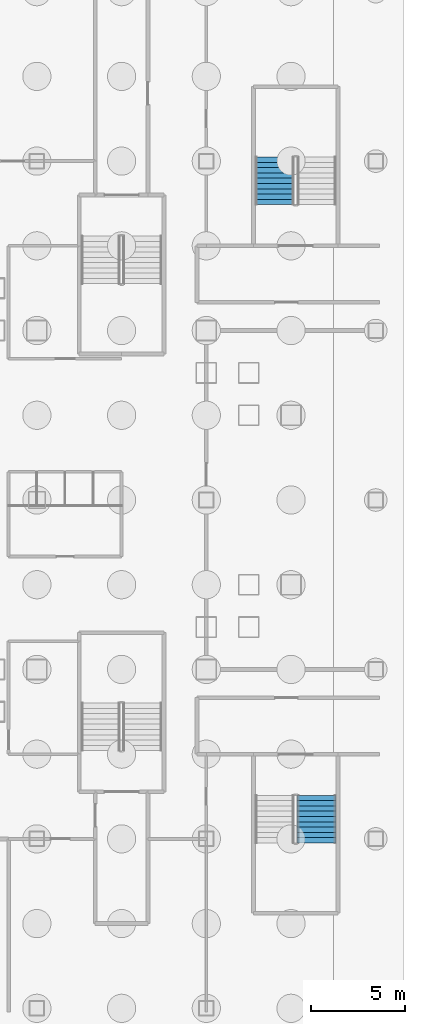
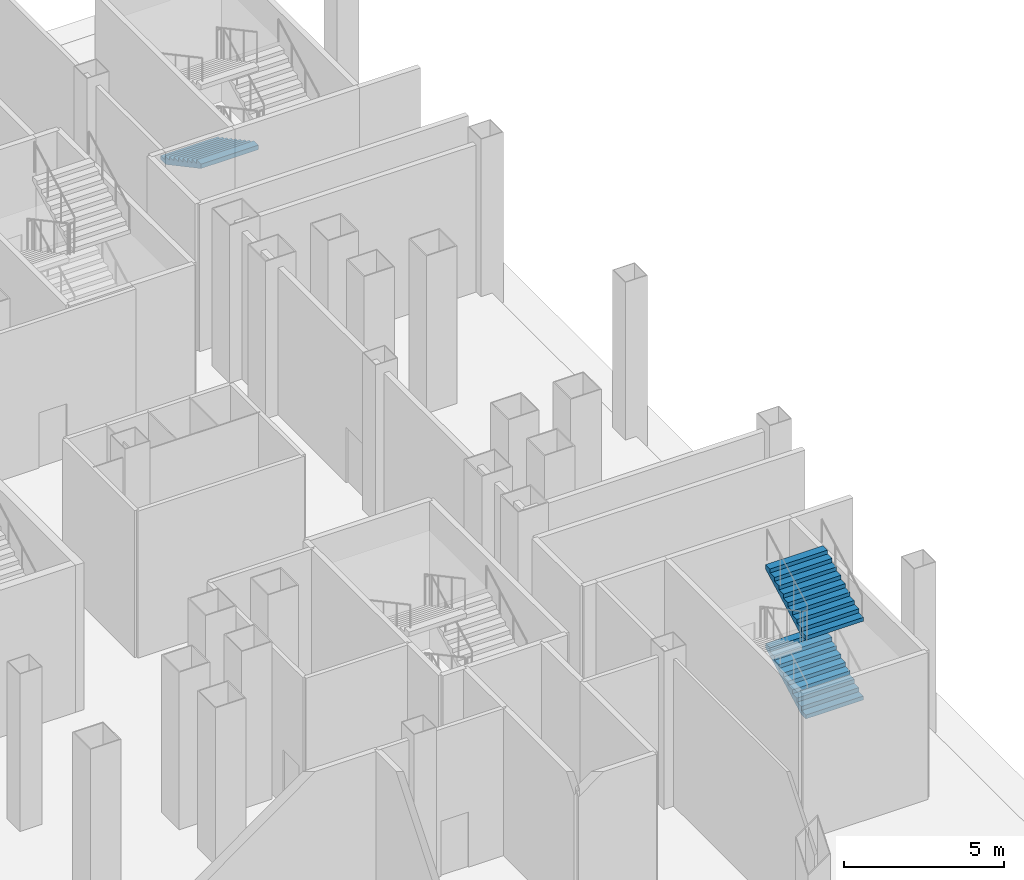
# One storey, part 18 of 25: 3 stair flights, 2 elements without a shape of their own.
"""IFC4 building model written with IfcOpenShell, lengths in metres."""

from ifc_helpers import new_model, si_unit, direction, frame, origin, place, context, subcontext, project, spatial, polygons, material, type_object, element, aggregate, save


model = new_model("IFC4")

# Units and contexts
model_context = context("Model", 3, precision=1e-05, world=origin(), true_north=direction((0.0, 1.0)))
body_context = subcontext(model_context, "Body", "Model", "MODEL_VIEW")
ifc_project = project(units=[si_unit("LENGTHUNIT", "METRE"), si_unit("AREAUNIT", "SQUARE_METRE"), si_unit("VOLUMEUNIT", "CUBIC_METRE"), si_unit("PLANEANGLEUNIT", "RADIAN"), si_unit("MASSUNIT", "GRAM", prefix="KILO")], contexts=[model_context])

# Site, building, storey
site_placement = place(None, origin())
site = spatial("IfcSite", under=ifc_project, at=site_placement, CompositionType="ELEMENT")
building_placement = place(site_placement, origin())
building = spatial("IfcBuilding", under=site, at=building_placement, Name="Caravel Reach Hotel and Residences", CompositionType="ELEMENT")
storey_placement = place(building_placement, frame((0.0, 0.0, -6.0)))
storey = spatial("IfcBuildingStorey", under=building, at=storey_placement, Name="B1", CompositionType="ELEMENT", Elevation=-6.0)

# Stair, stair flight
ifc_material_1 = material(Name="Concrete C40", Category="concrete")
stair_type = type_object("IfcStairType", Name="Core stair", PredefinedType="HALF_TURN_STAIR", material=ifc_material_1)
stair_1_placement = place(storey_placement, origin())
stair_1 = element("IfcStair", 1, at=stair_1_placement, inside=storey, type_object=stair_type, Name="B1 Exit stair P6", PredefinedType="HALF_TURN_STAIR")
ifc_material_2 = material(Name="Concrete C40", Category="concrete")
stair_flight_type = type_object("IfcStairFlightType", Name="Core stair flight", PredefinedType="STRAIGHT", material=ifc_material_2)
stair_flight_1_placement = place(storey_placement, frame((62.139892578125, 45.2099609375, 1.5), z_axis=(0.0, 0.0, 1.0), x_axis=(0.0, -1.0, 0.0)))
stair_flight_1 = element("IfcStairFlight", 2, at=stair_flight_1_placement, type_object=stair_flight_type, Name="ST-P6 flight 2", NumberOfRisers=10, NumberOfTreads=9, PredefinedType="STRAIGHT", RiserHeight=0.15, TreadLength=0.28, context=body_context, shape_type="Tessellation", body=[
    polygons([(0.3174408016601862, 1.0350341796875, 0.0), (0.3174408016601862, 0.6900227864583333, 0.0), (0.3174408016601862, 0.34501139322916663, 0.0), (0.3174408016601862, 0.0, 0.0), (0.3174408016601862, -0.34501139322916674, 0.0), (0.3174408016601862, -0.6900227864583333, 0.0), (0.3174408016601862, -1.0350341796875, 0.0), (2.5210000000000004, 1.0350341796875, 1.1799424276820432), (2.5210000000000004, 0.6900227864583333, 1.1799424276820432), (2.5210000000000004, 0.34501139322916663, 1.1799424276820432), (2.5210000000000004, 0.0, 1.1799424276820432), (2.5210000000000004, -0.34501139322916674, 1.1799424276820432), (2.5210000000000004, -0.6900227864583333, 1.1799424276820432), (2.5210000000000004, -1.0350341796875, 1.1799424276820432), (2.5210000000000004, 1.0350341796875, 1.3499999999999999), (2.5210000000000004, 0.6900227864583333, 1.3499999999999999), (2.5210000000000004, 0.34501139322916663, 1.3499999999999999), (2.5210000000000004, 0.0, 1.3499999999999999), (2.5210000000000004, -0.34501139322916674, 1.3499999999999999), (2.5210000000000004, -0.6900227864583333, 1.3499999999999999), (2.5210000000000004, -1.0350341796875, 1.3499999999999999), (2.24, 1.0350341796875, 1.3499999999999999), (2.24, 0.6900227864583333, 1.3499999999999999), (2.24, 0.34501139322916663, 1.3499999999999999), (2.24, 0.0, 1.3499999999999999), (2.24, -0.34501139322916674, 1.3499999999999999), (2.24, -0.6900227864583333, 1.3499999999999999), (2.24, -1.0350341796875, 1.3499999999999999), (2.24, 1.0350341796875, 1.2), (2.24, 0.6900227864583333, 1.2), (2.24, 0.34501139322916663, 1.2), (2.24, 0.0, 1.2), (2.24, -0.34501139322916674, 1.2), (2.24, -0.6900227864583333, 1.2), (2.24, -1.0350341796875, 1.2), (1.9600000000000002, 1.0350341796875, 1.2), (1.9600000000000002, 0.6900227864583333, 1.2), (1.9600000000000002, 0.34501139322916663, 1.2), (1.9600000000000002, 0.0, 1.2), (1.9600000000000002, -0.34501139322916674, 1.2), (1.9600000000000002, -0.6900227864583333, 1.2), (1.9600000000000002, -1.0350341796875, 1.2), (1.9600000000000002, 1.0350341796875, 1.05), (1.9600000000000002, 0.6900227864583333, 1.05), (1.9600000000000002, 0.34501139322916663, 1.05), (1.9600000000000002, 0.0, 1.05), (1.9600000000000002, -0.34501139322916674, 1.05), (1.9600000000000002, -0.6900227864583333, 1.05), (1.9600000000000002, -1.0350341796875, 1.05), (1.6800000000000002, 1.0350341796875, 1.05), (1.6800000000000002, 0.6900227864583333, 1.05), (1.6800000000000002, 0.34501139322916663, 1.05), (1.6800000000000002, 0.0, 1.05), (1.6800000000000002, -0.34501139322916674, 1.05), (1.6800000000000002, -0.6900227864583333, 1.05), (1.6800000000000002, -1.0350341796875, 1.05), (1.6800000000000002, 1.0350341796875, 0.8999999999999999), (1.6800000000000002, 0.6900227864583333, 0.8999999999999999), (1.6800000000000002, 0.34501139322916663, 0.8999999999999999), (1.6800000000000002, 0.0, 0.8999999999999999), (1.6800000000000002, -0.34501139322916674, 0.8999999999999999), (1.6800000000000002, -0.6900227864583333, 0.8999999999999999), (1.6800000000000002, -1.0350341796875, 0.8999999999999999), (1.4000000000000001, 1.0350341796875, 0.8999999999999999), (1.4000000000000001, 0.6900227864583333, 0.8999999999999999), (1.4000000000000001, 0.34501139322916663, 0.8999999999999999), (1.4000000000000001, 0.0, 0.8999999999999999), (1.4000000000000001, -0.34501139322916674, 0.8999999999999999), (1.4000000000000001, -0.6900227864583333, 0.8999999999999999), (1.4000000000000001, -1.0350341796875, 0.8999999999999999), (1.4000000000000001, 1.0350341796875, 0.75), (1.4000000000000001, 0.6900227864583333, 0.75), (1.4000000000000001, 0.34501139322916663, 0.75), (1.4000000000000001, 0.0, 0.75), (1.4000000000000001, -0.34501139322916674, 0.75), (1.4000000000000001, -0.6900227864583333, 0.75), (1.4000000000000001, -1.0350341796875, 0.75), (1.12, 1.0350341796875, 0.75), (1.12, 0.6900227864583333, 0.75), (1.12, 0.34501139322916663, 0.75), (1.12, 0.0, 0.75), (1.12, -0.34501139322916674, 0.75), (1.12, -0.6900227864583333, 0.75), (1.12, -1.0350341796875, 0.75), (1.12, 1.0350341796875, 0.6), (1.12, 0.6900227864583333, 0.6), (1.12, 0.34501139322916663, 0.6), (1.12, 0.0, 0.6), (1.12, -0.34501139322916674, 0.6), (1.12, -0.6900227864583333, 0.6), (1.12, -1.0350341796875, 0.6), (0.8400000000000001, 1.0350341796875, 0.6), (0.8400000000000001, 0.6900227864583333, 0.6), (0.8400000000000001, 0.34501139322916663, 0.6), (0.8400000000000001, 0.0, 0.6), (0.8400000000000001, -0.34501139322916674, 0.6), (0.8400000000000001, -0.6900227864583333, 0.6), (0.8400000000000001, -1.0350341796875, 0.6), (0.8400000000000001, 1.0350341796875, 0.44999999999999996), (0.8400000000000001, 0.6900227864583333, 0.44999999999999996), (0.8400000000000001, 0.34501139322916663, 0.44999999999999996), (0.8400000000000001, 0.0, 0.44999999999999996), (0.8400000000000001, -0.34501139322916674, 0.44999999999999996), (0.8400000000000001, -0.6900227864583333, 0.44999999999999996), (0.8400000000000001, -1.0350341796875, 0.44999999999999996), (0.56, 1.0350341796875, 0.44999999999999996), (0.56, 0.6900227864583333, 0.44999999999999996), (0.56, 0.34501139322916663, 0.44999999999999996), (0.56, 0.0, 0.44999999999999996), (0.56, -0.34501139322916674, 0.44999999999999996), (0.56, -0.6900227864583333, 0.44999999999999996), (0.56, -1.0350341796875, 0.44999999999999996), (0.56, 1.0350341796875, 0.3), (0.56, 0.6900227864583333, 0.3), (0.56, 0.34501139322916663, 0.3), (0.56, 0.0, 0.3), (0.56, -0.34501139322916674, 0.3), (0.56, -0.6900227864583333, 0.3), (0.56, -1.0350341796875, 0.3), (0.28, 1.0350341796875, 0.3), (0.28, 0.6900227864583333, 0.3), (0.28, 0.34501139322916663, 0.3), (0.28, 0.0, 0.3), (0.28, -0.34501139322916674, 0.3), (0.28, -0.6900227864583333, 0.3), (0.28, -1.0350341796875, 0.3), (0.28, 1.0350341796875, 0.15), (0.28, 0.6900227864583333, 0.15), (0.28, 0.34501139322916663, 0.15), (0.28, 0.0, 0.15), (0.28, -0.34501139322916674, 0.15), (0.28, -0.6900227864583333, 0.15), (0.28, -1.0350341796875, 0.15), (-0.001, 1.0350341796875, 0.15), (-0.001, 0.6900227864583333, 0.15), (-0.001, 0.34501139322916663, 0.15), (-0.001, 0.0, 0.15), (-0.001, -0.34501139322916674, 0.15), (-0.001, -0.6900227864583333, 0.15), (-0.001, -1.0350341796875, 0.15), (-0.001, 1.0350341796875, 0.0), (-0.001, 0.6900227864583333, 0.0), (-0.001, 0.34501139322916663, 0.0), (-0.001, 0.0, 0.0), (-0.001, -0.34501139322916674, 0.0), (-0.001, -0.6900227864583333, 0.0), (-0.001, -1.0350341796875, 0.0)], [[[141, 134, 127, 120, 113, 106, 99, 92, 85, 78, 71, 64, 57, 50, 43, 36, 29, 22, 15, 8, 1]], [[7, 14, 21, 28, 35, 42, 49, 56, 63, 70, 77, 84, 91, 98, 105, 112, 119, 126, 133, 140, 147]], [[1, 8, 9, 2]], [[2, 9, 10, 3]], [[3, 10, 11, 4]], [[4, 11, 12, 5]], [[5, 12, 13, 6]], [[6, 13, 14, 7]], [[8, 15, 16, 9]], [[9, 16, 17, 10]], [[10, 17, 18, 11]], [[11, 18, 19, 12]], [[12, 19, 20, 13]], [[13, 20, 21, 14]], [[15, 22, 23, 16]], [[16, 23, 24, 17]], [[17, 24, 25, 18]], [[18, 25, 26, 19]], [[19, 26, 27, 20]], [[20, 27, 28, 21]], [[22, 29, 30, 23]], [[23, 30, 31, 24]], [[24, 31, 32, 25]], [[25, 32, 33, 26]], [[26, 33, 34, 27]], [[27, 34, 35, 28]], [[29, 36, 37, 30]], [[30, 37, 38, 31]], [[31, 38, 39, 32]], [[32, 39, 40, 33]], [[33, 40, 41, 34]], [[34, 41, 42, 35]], [[36, 43, 44, 37]], [[37, 44, 45, 38]], [[38, 45, 46, 39]], [[39, 46, 47, 40]], [[40, 47, 48, 41]], [[41, 48, 49, 42]], [[43, 50, 51, 44]], [[44, 51, 52, 45]], [[45, 52, 53, 46]], [[46, 53, 54, 47]], [[47, 54, 55, 48]], [[48, 55, 56, 49]], [[50, 57, 58, 51]], [[51, 58, 59, 52]], [[52, 59, 60, 53]], [[53, 60, 61, 54]], [[54, 61, 62, 55]], [[55, 62, 63, 56]], [[57, 64, 65, 58]], [[58, 65, 66, 59]], [[59, 66, 67, 60]], [[60, 67, 68, 61]], [[61, 68, 69, 62]], [[62, 69, 70, 63]], [[64, 71, 72, 65]], [[65, 72, 73, 66]], [[66, 73, 74, 67]], [[67, 74, 75, 68]], [[68, 75, 76, 69]], [[69, 76, 77, 70]], [[71, 78, 79, 72]], [[72, 79, 80, 73]], [[73, 80, 81, 74]], [[74, 81, 82, 75]], [[75, 82, 83, 76]], [[76, 83, 84, 77]], [[78, 85, 86, 79]], [[79, 86, 87, 80]], [[80, 87, 88, 81]], [[81, 88, 89, 82]], [[82, 89, 90, 83]], [[83, 90, 91, 84]], [[85, 92, 93, 86]], [[86, 93, 94, 87]], [[87, 94, 95, 88]], [[88, 95, 96, 89]], [[89, 96, 97, 90]], [[90, 97, 98, 91]], [[92, 99, 100, 93]], [[93, 100, 101, 94]], [[94, 101, 102, 95]], [[95, 102, 103, 96]], [[96, 103, 104, 97]], [[97, 104, 105, 98]], [[99, 106, 107, 100]], [[100, 107, 108, 101]], [[101, 108, 109, 102]], [[102, 109, 110, 103]], [[103, 110, 111, 104]], [[104, 111, 112, 105]], [[106, 113, 114, 107]], [[107, 114, 115, 108]], [[108, 115, 116, 109]], [[109, 116, 117, 110]], [[110, 117, 118, 111]], [[111, 118, 119, 112]], [[113, 120, 121, 114]], [[114, 121, 122, 115]], [[115, 122, 123, 116]], [[116, 123, 124, 117]], [[117, 124, 125, 118]], [[118, 125, 126, 119]], [[120, 127, 128, 121]], [[121, 128, 129, 122]], [[122, 129, 130, 123]], [[123, 130, 131, 124]], [[124, 131, 132, 125]], [[125, 132, 133, 126]], [[127, 134, 135, 128]], [[128, 135, 136, 129]], [[129, 136, 137, 130]], [[130, 137, 138, 131]], [[131, 138, 139, 132]], [[132, 139, 140, 133]], [[134, 141, 142, 135]], [[135, 142, 143, 136]], [[136, 143, 144, 137]], [[137, 144, 145, 138]], [[138, 145, 146, 139]], [[139, 146, 147, 140]], [[141, 1, 2, 142]], [[142, 2, 3, 143]], [[143, 3, 4, 144]], [[144, 4, 5, 145]], [[145, 5, 6, 146]], [[146, 6, 7, 147]]], closed=True),
])
aggregate(stair_1, [stair_flight_1])

# Stair, stair flights
stair_2_placement = place(storey_placement, origin())
stair_2 = element("IfcStair", 3, at=stair_2_placement, inside=storey, type_object=stair_type, Name="B1 Exit stair P7", PredefinedType="HALF_TURN_STAIR")
stair_flight_2_placement = place(storey_placement, frame((64.360107421875, 8.7900390625, 1.5), z_axis=(0.0, 0.0, 1.0), x_axis=(0.0, 1.0, 0.0)))
stair_flight_2 = element("IfcStairFlight", 4, at=stair_flight_2_placement, type_object=stair_flight_type, Name="ST-P7 flight 2", NumberOfRisers=10, NumberOfTreads=9, PredefinedType="STRAIGHT", RiserHeight=0.15, TreadLength=0.28, context=body_context, shape_type="Tessellation", body=[
    polygons([(0.3174408016601862, 1.0350341796875, 0.0), (0.3174408016601862, 0.6900227864583333, 0.0), (0.3174408016601862, 0.34501139322916663, 0.0), (0.3174408016601862, 0.0, 0.0), (0.3174408016601862, -0.34501139322916674, 0.0), (0.3174408016601862, -0.6900227864583333, 0.0), (0.3174408016601862, -1.0350341796875, 0.0), (2.5210000000000004, 1.0350341796875, 1.1799424276820432), (2.5210000000000004, 0.6900227864583333, 1.1799424276820432), (2.5210000000000004, 0.34501139322916663, 1.1799424276820432), (2.5210000000000004, 0.0, 1.1799424276820432), (2.5210000000000004, -0.34501139322916674, 1.1799424276820432), (2.5210000000000004, -0.6900227864583333, 1.1799424276820432), (2.5210000000000004, -1.0350341796875, 1.1799424276820432), (2.5210000000000004, 1.0350341796875, 1.3499999999999999), (2.5210000000000004, 0.6900227864583333, 1.3499999999999999), (2.5210000000000004, 0.34501139322916663, 1.3499999999999999), (2.5210000000000004, 0.0, 1.3499999999999999), (2.5210000000000004, -0.34501139322916674, 1.3499999999999999), (2.5210000000000004, -0.6900227864583333, 1.3499999999999999), (2.5210000000000004, -1.0350341796875, 1.3499999999999999), (2.24, 1.0350341796875, 1.3499999999999999), (2.24, 0.6900227864583333, 1.3499999999999999), (2.24, 0.34501139322916663, 1.3499999999999999), (2.24, 0.0, 1.3499999999999999), (2.24, -0.34501139322916674, 1.3499999999999999), (2.24, -0.6900227864583333, 1.3499999999999999), (2.24, -1.0350341796875, 1.3499999999999999), (2.24, 1.0350341796875, 1.2), (2.24, 0.6900227864583333, 1.2), (2.24, 0.34501139322916663, 1.2), (2.24, 0.0, 1.2), (2.24, -0.34501139322916674, 1.2), (2.24, -0.6900227864583333, 1.2), (2.24, -1.0350341796875, 1.2), (1.9600000000000002, 1.0350341796875, 1.2), (1.9600000000000002, 0.6900227864583333, 1.2), (1.9600000000000002, 0.34501139322916663, 1.2), (1.9600000000000002, 0.0, 1.2), (1.9600000000000002, -0.34501139322916674, 1.2), (1.9600000000000002, -0.6900227864583333, 1.2), (1.9600000000000002, -1.0350341796875, 1.2), (1.9600000000000002, 1.0350341796875, 1.05), (1.9600000000000002, 0.6900227864583333, 1.05), (1.9600000000000002, 0.34501139322916663, 1.05), (1.9600000000000002, 0.0, 1.05), (1.9600000000000002, -0.34501139322916674, 1.05), (1.9600000000000002, -0.6900227864583333, 1.05), (1.9600000000000002, -1.0350341796875, 1.05), (1.6800000000000002, 1.0350341796875, 1.05), (1.6800000000000002, 0.6900227864583333, 1.05), (1.6800000000000002, 0.34501139322916663, 1.05), (1.6800000000000002, 0.0, 1.05), (1.6800000000000002, -0.34501139322916674, 1.05), (1.6800000000000002, -0.6900227864583333, 1.05), (1.6800000000000002, -1.0350341796875, 1.05), (1.6800000000000002, 1.0350341796875, 0.8999999999999999), (1.6800000000000002, 0.6900227864583333, 0.8999999999999999), (1.6800000000000002, 0.34501139322916663, 0.8999999999999999), (1.6800000000000002, 0.0, 0.8999999999999999), (1.6800000000000002, -0.34501139322916674, 0.8999999999999999), (1.6800000000000002, -0.6900227864583333, 0.8999999999999999), (1.6800000000000002, -1.0350341796875, 0.8999999999999999), (1.4000000000000001, 1.0350341796875, 0.8999999999999999), (1.4000000000000001, 0.6900227864583333, 0.8999999999999999), (1.4000000000000001, 0.34501139322916663, 0.8999999999999999), (1.4000000000000001, 0.0, 0.8999999999999999), (1.4000000000000001, -0.34501139322916674, 0.8999999999999999), (1.4000000000000001, -0.6900227864583333, 0.8999999999999999), (1.4000000000000001, -1.0350341796875, 0.8999999999999999), (1.4000000000000001, 1.0350341796875, 0.75), (1.4000000000000001, 0.6900227864583333, 0.75), (1.4000000000000001, 0.34501139322916663, 0.75), (1.4000000000000001, 0.0, 0.75), (1.4000000000000001, -0.34501139322916674, 0.75), (1.4000000000000001, -0.6900227864583333, 0.75), (1.4000000000000001, -1.0350341796875, 0.75), (1.12, 1.0350341796875, 0.75), (1.12, 0.6900227864583333, 0.75), (1.12, 0.34501139322916663, 0.75), (1.12, 0.0, 0.75), (1.12, -0.34501139322916674, 0.75), (1.12, -0.6900227864583333, 0.75), (1.12, -1.0350341796875, 0.75), (1.12, 1.0350341796875, 0.6), (1.12, 0.6900227864583333, 0.6), (1.12, 0.34501139322916663, 0.6), (1.12, 0.0, 0.6), (1.12, -0.34501139322916674, 0.6), (1.12, -0.6900227864583333, 0.6), (1.12, -1.0350341796875, 0.6), (0.8400000000000001, 1.0350341796875, 0.6), (0.8400000000000001, 0.6900227864583333, 0.6), (0.8400000000000001, 0.34501139322916663, 0.6), (0.8400000000000001, 0.0, 0.6), (0.8400000000000001, -0.34501139322916674, 0.6), (0.8400000000000001, -0.6900227864583333, 0.6), (0.8400000000000001, -1.0350341796875, 0.6), (0.8400000000000001, 1.0350341796875, 0.44999999999999996), (0.8400000000000001, 0.6900227864583333, 0.44999999999999996), (0.8400000000000001, 0.34501139322916663, 0.44999999999999996), (0.8400000000000001, 0.0, 0.44999999999999996), (0.8400000000000001, -0.34501139322916674, 0.44999999999999996), (0.8400000000000001, -0.6900227864583333, 0.44999999999999996), (0.8400000000000001, -1.0350341796875, 0.44999999999999996), (0.56, 1.0350341796875, 0.44999999999999996), (0.56, 0.6900227864583333, 0.44999999999999996), (0.56, 0.34501139322916663, 0.44999999999999996), (0.56, 0.0, 0.44999999999999996), (0.56, -0.34501139322916674, 0.44999999999999996), (0.56, -0.6900227864583333, 0.44999999999999996), (0.56, -1.0350341796875, 0.44999999999999996), (0.56, 1.0350341796875, 0.3), (0.56, 0.6900227864583333, 0.3), (0.56, 0.34501139322916663, 0.3), (0.56, 0.0, 0.3), (0.56, -0.34501139322916674, 0.3), (0.56, -0.6900227864583333, 0.3), (0.56, -1.0350341796875, 0.3), (0.28, 1.0350341796875, 0.3), (0.28, 0.6900227864583333, 0.3), (0.28, 0.34501139322916663, 0.3), (0.28, 0.0, 0.3), (0.28, -0.34501139322916674, 0.3), (0.28, -0.6900227864583333, 0.3), (0.28, -1.0350341796875, 0.3), (0.28, 1.0350341796875, 0.15), (0.28, 0.6900227864583333, 0.15), (0.28, 0.34501139322916663, 0.15), (0.28, 0.0, 0.15), (0.28, -0.34501139322916674, 0.15), (0.28, -0.6900227864583333, 0.15), (0.28, -1.0350341796875, 0.15), (-0.001, 1.0350341796875, 0.15), (-0.001, 0.6900227864583333, 0.15), (-0.001, 0.34501139322916663, 0.15), (-0.001, 0.0, 0.15), (-0.001, -0.34501139322916674, 0.15), (-0.001, -0.6900227864583333, 0.15), (-0.001, -1.0350341796875, 0.15), (-0.001, 1.0350341796875, 0.0), (-0.001, 0.6900227864583333, 0.0), (-0.001, 0.34501139322916663, 0.0), (-0.001, 0.0, 0.0), (-0.001, -0.34501139322916674, 0.0), (-0.001, -0.6900227864583333, 0.0), (-0.001, -1.0350341796875, 0.0)], [[[141, 134, 127, 120, 113, 106, 99, 92, 85, 78, 71, 64, 57, 50, 43, 36, 29, 22, 15, 8, 1]], [[7, 14, 21, 28, 35, 42, 49, 56, 63, 70, 77, 84, 91, 98, 105, 112, 119, 126, 133, 140, 147]], [[1, 8, 9, 2]], [[2, 9, 10, 3]], [[3, 10, 11, 4]], [[4, 11, 12, 5]], [[5, 12, 13, 6]], [[6, 13, 14, 7]], [[8, 15, 16, 9]], [[9, 16, 17, 10]], [[10, 17, 18, 11]], [[11, 18, 19, 12]], [[12, 19, 20, 13]], [[13, 20, 21, 14]], [[15, 22, 23, 16]], [[16, 23, 24, 17]], [[17, 24, 25, 18]], [[18, 25, 26, 19]], [[19, 26, 27, 20]], [[20, 27, 28, 21]], [[22, 29, 30, 23]], [[23, 30, 31, 24]], [[24, 31, 32, 25]], [[25, 32, 33, 26]], [[26, 33, 34, 27]], [[27, 34, 35, 28]], [[29, 36, 37, 30]], [[30, 37, 38, 31]], [[31, 38, 39, 32]], [[32, 39, 40, 33]], [[33, 40, 41, 34]], [[34, 41, 42, 35]], [[36, 43, 44, 37]], [[37, 44, 45, 38]], [[38, 45, 46, 39]], [[39, 46, 47, 40]], [[40, 47, 48, 41]], [[41, 48, 49, 42]], [[43, 50, 51, 44]], [[44, 51, 52, 45]], [[45, 52, 53, 46]], [[46, 53, 54, 47]], [[47, 54, 55, 48]], [[48, 55, 56, 49]], [[50, 57, 58, 51]], [[51, 58, 59, 52]], [[52, 59, 60, 53]], [[53, 60, 61, 54]], [[54, 61, 62, 55]], [[55, 62, 63, 56]], [[57, 64, 65, 58]], [[58, 65, 66, 59]], [[59, 66, 67, 60]], [[60, 67, 68, 61]], [[61, 68, 69, 62]], [[62, 69, 70, 63]], [[64, 71, 72, 65]], [[65, 72, 73, 66]], [[66, 73, 74, 67]], [[67, 74, 75, 68]], [[68, 75, 76, 69]], [[69, 76, 77, 70]], [[71, 78, 79, 72]], [[72, 79, 80, 73]], [[73, 80, 81, 74]], [[74, 81, 82, 75]], [[75, 82, 83, 76]], [[76, 83, 84, 77]], [[78, 85, 86, 79]], [[79, 86, 87, 80]], [[80, 87, 88, 81]], [[81, 88, 89, 82]], [[82, 89, 90, 83]], [[83, 90, 91, 84]], [[85, 92, 93, 86]], [[86, 93, 94, 87]], [[87, 94, 95, 88]], [[88, 95, 96, 89]], [[89, 96, 97, 90]], [[90, 97, 98, 91]], [[92, 99, 100, 93]], [[93, 100, 101, 94]], [[94, 101, 102, 95]], [[95, 102, 103, 96]], [[96, 103, 104, 97]], [[97, 104, 105, 98]], [[99, 106, 107, 100]], [[100, 107, 108, 101]], [[101, 108, 109, 102]], [[102, 109, 110, 103]], [[103, 110, 111, 104]], [[104, 111, 112, 105]], [[106, 113, 114, 107]], [[107, 114, 115, 108]], [[108, 115, 116, 109]], [[109, 116, 117, 110]], [[110, 117, 118, 111]], [[111, 118, 119, 112]], [[113, 120, 121, 114]], [[114, 121, 122, 115]], [[115, 122, 123, 116]], [[116, 123, 124, 117]], [[117, 124, 125, 118]], [[118, 125, 126, 119]], [[120, 127, 128, 121]], [[121, 128, 129, 122]], [[122, 129, 130, 123]], [[123, 130, 131, 124]], [[124, 131, 132, 125]], [[125, 132, 133, 126]], [[127, 134, 135, 128]], [[128, 135, 136, 129]], [[129, 136, 137, 130]], [[130, 137, 138, 131]], [[131, 138, 139, 132]], [[132, 139, 140, 133]], [[134, 141, 142, 135]], [[135, 142, 143, 136]], [[136, 143, 144, 137]], [[137, 144, 145, 138]], [[138, 145, 146, 139]], [[139, 146, 147, 140]], [[141, 1, 2, 142]], [[142, 2, 3, 143]], [[143, 3, 4, 144]], [[144, 4, 5, 145]], [[145, 5, 6, 146]], [[146, 6, 7, 147]]], closed=True),
])
stair_flight_3_placement = place(storey_placement, frame((64.360107421875, 8.7900390625, 4.5), z_axis=(0.0, 0.0, 1.0), x_axis=(0.0, 1.0, 0.0)))
stair_flight_3 = element("IfcStairFlight", 5, at=stair_flight_3_placement, type_object=stair_flight_type, Name="ST-P7 flight 4", NumberOfRisers=10, NumberOfTreads=9, PredefinedType="STRAIGHT", RiserHeight=0.15, TreadLength=0.28, context=body_context, shape_type="Tessellation", body=[
    polygons([(0.3174408016601862, 1.0350341796875, 0.0), (0.3174408016601862, 0.6900227864583333, 0.0), (0.3174408016601862, 0.34501139322916663, 0.0), (0.3174408016601862, 0.0, 0.0), (0.3174408016601862, -0.34501139322916674, 0.0), (0.3174408016601862, -0.6900227864583333, 0.0), (0.3174408016601862, -1.0350341796875, 0.0), (2.5210000000000004, 1.0350341796875, 1.1799424276820432), (2.5210000000000004, 0.6900227864583333, 1.1799424276820432), (2.5210000000000004, 0.34501139322916663, 1.1799424276820432), (2.5210000000000004, 0.0, 1.1799424276820432), (2.5210000000000004, -0.34501139322916674, 1.1799424276820432), (2.5210000000000004, -0.6900227864583333, 1.1799424276820432), (2.5210000000000004, -1.0350341796875, 1.1799424276820432), (2.5210000000000004, 1.0350341796875, 1.3499999999999999), (2.5210000000000004, 0.6900227864583333, 1.3499999999999999), (2.5210000000000004, 0.34501139322916663, 1.3499999999999999), (2.5210000000000004, 0.0, 1.3499999999999999), (2.5210000000000004, -0.34501139322916674, 1.3499999999999999), (2.5210000000000004, -0.6900227864583333, 1.3499999999999999), (2.5210000000000004, -1.0350341796875, 1.3499999999999999), (2.24, 1.0350341796875, 1.3499999999999999), (2.24, 0.6900227864583333, 1.3499999999999999), (2.24, 0.34501139322916663, 1.3499999999999999), (2.24, 0.0, 1.3499999999999999), (2.24, -0.34501139322916674, 1.3499999999999999), (2.24, -0.6900227864583333, 1.3499999999999999), (2.24, -1.0350341796875, 1.3499999999999999), (2.24, 1.0350341796875, 1.2), (2.24, 0.6900227864583333, 1.2), (2.24, 0.34501139322916663, 1.2), (2.24, 0.0, 1.2), (2.24, -0.34501139322916674, 1.2), (2.24, -0.6900227864583333, 1.2), (2.24, -1.0350341796875, 1.2), (1.9600000000000002, 1.0350341796875, 1.2), (1.9600000000000002, 0.6900227864583333, 1.2), (1.9600000000000002, 0.34501139322916663, 1.2), (1.9600000000000002, 0.0, 1.2), (1.9600000000000002, -0.34501139322916674, 1.2), (1.9600000000000002, -0.6900227864583333, 1.2), (1.9600000000000002, -1.0350341796875, 1.2), (1.9600000000000002, 1.0350341796875, 1.05), (1.9600000000000002, 0.6900227864583333, 1.05), (1.9600000000000002, 0.34501139322916663, 1.05), (1.9600000000000002, 0.0, 1.05), (1.9600000000000002, -0.34501139322916674, 1.05), (1.9600000000000002, -0.6900227864583333, 1.05), (1.9600000000000002, -1.0350341796875, 1.05), (1.6800000000000002, 1.0350341796875, 1.05), (1.6800000000000002, 0.6900227864583333, 1.05), (1.6800000000000002, 0.34501139322916663, 1.05), (1.6800000000000002, 0.0, 1.05), (1.6800000000000002, -0.34501139322916674, 1.05), (1.6800000000000002, -0.6900227864583333, 1.05), (1.6800000000000002, -1.0350341796875, 1.05), (1.6800000000000002, 1.0350341796875, 0.8999999999999999), (1.6800000000000002, 0.6900227864583333, 0.8999999999999999), (1.6800000000000002, 0.34501139322916663, 0.8999999999999999), (1.6800000000000002, 0.0, 0.8999999999999999), (1.6800000000000002, -0.34501139322916674, 0.8999999999999999), (1.6800000000000002, -0.6900227864583333, 0.8999999999999999), (1.6800000000000002, -1.0350341796875, 0.8999999999999999), (1.4000000000000001, 1.0350341796875, 0.8999999999999999), (1.4000000000000001, 0.6900227864583333, 0.8999999999999999), (1.4000000000000001, 0.34501139322916663, 0.8999999999999999), (1.4000000000000001, 0.0, 0.8999999999999999), (1.4000000000000001, -0.34501139322916674, 0.8999999999999999), (1.4000000000000001, -0.6900227864583333, 0.8999999999999999), (1.4000000000000001, -1.0350341796875, 0.8999999999999999), (1.4000000000000001, 1.0350341796875, 0.75), (1.4000000000000001, 0.6900227864583333, 0.75), (1.4000000000000001, 0.34501139322916663, 0.75), (1.4000000000000001, 0.0, 0.75), (1.4000000000000001, -0.34501139322916674, 0.75), (1.4000000000000001, -0.6900227864583333, 0.75), (1.4000000000000001, -1.0350341796875, 0.75), (1.12, 1.0350341796875, 0.75), (1.12, 0.6900227864583333, 0.75), (1.12, 0.34501139322916663, 0.75), (1.12, 0.0, 0.75), (1.12, -0.34501139322916674, 0.75), (1.12, -0.6900227864583333, 0.75), (1.12, -1.0350341796875, 0.75), (1.12, 1.0350341796875, 0.6), (1.12, 0.6900227864583333, 0.6), (1.12, 0.34501139322916663, 0.6), (1.12, 0.0, 0.6), (1.12, -0.34501139322916674, 0.6), (1.12, -0.6900227864583333, 0.6), (1.12, -1.0350341796875, 0.6), (0.8400000000000001, 1.0350341796875, 0.6), (0.8400000000000001, 0.6900227864583333, 0.6), (0.8400000000000001, 0.34501139322916663, 0.6), (0.8400000000000001, 0.0, 0.6), (0.8400000000000001, -0.34501139322916674, 0.6), (0.8400000000000001, -0.6900227864583333, 0.6), (0.8400000000000001, -1.0350341796875, 0.6), (0.8400000000000001, 1.0350341796875, 0.44999999999999996), (0.8400000000000001, 0.6900227864583333, 0.44999999999999996), (0.8400000000000001, 0.34501139322916663, 0.44999999999999996), (0.8400000000000001, 0.0, 0.44999999999999996), (0.8400000000000001, -0.34501139322916674, 0.44999999999999996), (0.8400000000000001, -0.6900227864583333, 0.44999999999999996), (0.8400000000000001, -1.0350341796875, 0.44999999999999996), (0.56, 1.0350341796875, 0.44999999999999996), (0.56, 0.6900227864583333, 0.44999999999999996), (0.56, 0.34501139322916663, 0.44999999999999996), (0.56, 0.0, 0.44999999999999996), (0.56, -0.34501139322916674, 0.44999999999999996), (0.56, -0.6900227864583333, 0.44999999999999996), (0.56, -1.0350341796875, 0.44999999999999996), (0.56, 1.0350341796875, 0.3), (0.56, 0.6900227864583333, 0.3), (0.56, 0.34501139322916663, 0.3), (0.56, 0.0, 0.3), (0.56, -0.34501139322916674, 0.3), (0.56, -0.6900227864583333, 0.3), (0.56, -1.0350341796875, 0.3), (0.28, 1.0350341796875, 0.3), (0.28, 0.6900227864583333, 0.3), (0.28, 0.34501139322916663, 0.3), (0.28, 0.0, 0.3), (0.28, -0.34501139322916674, 0.3), (0.28, -0.6900227864583333, 0.3), (0.28, -1.0350341796875, 0.3), (0.28, 1.0350341796875, 0.15), (0.28, 0.6900227864583333, 0.15), (0.28, 0.34501139322916663, 0.15), (0.28, 0.0, 0.15), (0.28, -0.34501139322916674, 0.15), (0.28, -0.6900227864583333, 0.15), (0.28, -1.0350341796875, 0.15), (-0.001, 1.0350341796875, 0.15), (-0.001, 0.6900227864583333, 0.15), (-0.001, 0.34501139322916663, 0.15), (-0.001, 0.0, 0.15), (-0.001, -0.34501139322916674, 0.15), (-0.001, -0.6900227864583333, 0.15), (-0.001, -1.0350341796875, 0.15), (-0.001, 1.0350341796875, 0.0), (-0.001, 0.6900227864583333, 0.0), (-0.001, 0.34501139322916663, 0.0), (-0.001, 0.0, 0.0), (-0.001, -0.34501139322916674, 0.0), (-0.001, -0.6900227864583333, 0.0), (-0.001, -1.0350341796875, 0.0)], [[[141, 134, 127, 120, 113, 106, 99, 92, 85, 78, 71, 64, 57, 50, 43, 36, 29, 22, 15, 8, 1]], [[7, 14, 21, 28, 35, 42, 49, 56, 63, 70, 77, 84, 91, 98, 105, 112, 119, 126, 133, 140, 147]], [[1, 8, 9, 2]], [[2, 9, 10, 3]], [[3, 10, 11, 4]], [[4, 11, 12, 5]], [[5, 12, 13, 6]], [[6, 13, 14, 7]], [[8, 15, 16, 9]], [[9, 16, 17, 10]], [[10, 17, 18, 11]], [[11, 18, 19, 12]], [[12, 19, 20, 13]], [[13, 20, 21, 14]], [[15, 22, 23, 16]], [[16, 23, 24, 17]], [[17, 24, 25, 18]], [[18, 25, 26, 19]], [[19, 26, 27, 20]], [[20, 27, 28, 21]], [[22, 29, 30, 23]], [[23, 30, 31, 24]], [[24, 31, 32, 25]], [[25, 32, 33, 26]], [[26, 33, 34, 27]], [[27, 34, 35, 28]], [[29, 36, 37, 30]], [[30, 37, 38, 31]], [[31, 38, 39, 32]], [[32, 39, 40, 33]], [[33, 40, 41, 34]], [[34, 41, 42, 35]], [[36, 43, 44, 37]], [[37, 44, 45, 38]], [[38, 45, 46, 39]], [[39, 46, 47, 40]], [[40, 47, 48, 41]], [[41, 48, 49, 42]], [[43, 50, 51, 44]], [[44, 51, 52, 45]], [[45, 52, 53, 46]], [[46, 53, 54, 47]], [[47, 54, 55, 48]], [[48, 55, 56, 49]], [[50, 57, 58, 51]], [[51, 58, 59, 52]], [[52, 59, 60, 53]], [[53, 60, 61, 54]], [[54, 61, 62, 55]], [[55, 62, 63, 56]], [[57, 64, 65, 58]], [[58, 65, 66, 59]], [[59, 66, 67, 60]], [[60, 67, 68, 61]], [[61, 68, 69, 62]], [[62, 69, 70, 63]], [[64, 71, 72, 65]], [[65, 72, 73, 66]], [[66, 73, 74, 67]], [[67, 74, 75, 68]], [[68, 75, 76, 69]], [[69, 76, 77, 70]], [[71, 78, 79, 72]], [[72, 79, 80, 73]], [[73, 80, 81, 74]], [[74, 81, 82, 75]], [[75, 82, 83, 76]], [[76, 83, 84, 77]], [[78, 85, 86, 79]], [[79, 86, 87, 80]], [[80, 87, 88, 81]], [[81, 88, 89, 82]], [[82, 89, 90, 83]], [[83, 90, 91, 84]], [[85, 92, 93, 86]], [[86, 93, 94, 87]], [[87, 94, 95, 88]], [[88, 95, 96, 89]], [[89, 96, 97, 90]], [[90, 97, 98, 91]], [[92, 99, 100, 93]], [[93, 100, 101, 94]], [[94, 101, 102, 95]], [[95, 102, 103, 96]], [[96, 103, 104, 97]], [[97, 104, 105, 98]], [[99, 106, 107, 100]], [[100, 107, 108, 101]], [[101, 108, 109, 102]], [[102, 109, 110, 103]], [[103, 110, 111, 104]], [[104, 111, 112, 105]], [[106, 113, 114, 107]], [[107, 114, 115, 108]], [[108, 115, 116, 109]], [[109, 116, 117, 110]], [[110, 117, 118, 111]], [[111, 118, 119, 112]], [[113, 120, 121, 114]], [[114, 121, 122, 115]], [[115, 122, 123, 116]], [[116, 123, 124, 117]], [[117, 124, 125, 118]], [[118, 125, 126, 119]], [[120, 127, 128, 121]], [[121, 128, 129, 122]], [[122, 129, 130, 123]], [[123, 130, 131, 124]], [[124, 131, 132, 125]], [[125, 132, 133, 126]], [[127, 134, 135, 128]], [[128, 135, 136, 129]], [[129, 136, 137, 130]], [[130, 137, 138, 131]], [[131, 138, 139, 132]], [[132, 139, 140, 133]], [[134, 141, 142, 135]], [[135, 142, 143, 136]], [[136, 143, 144, 137]], [[137, 144, 145, 138]], [[138, 145, 146, 139]], [[139, 146, 147, 140]], [[141, 1, 2, 142]], [[142, 2, 3, 143]], [[143, 3, 4, 144]], [[144, 4, 5, 145]], [[145, 5, 6, 146]], [[146, 6, 7, 147]]], closed=True),
])
aggregate(stair_2, [stair_flight_2, stair_flight_3])

save(model, "model.ifc")
